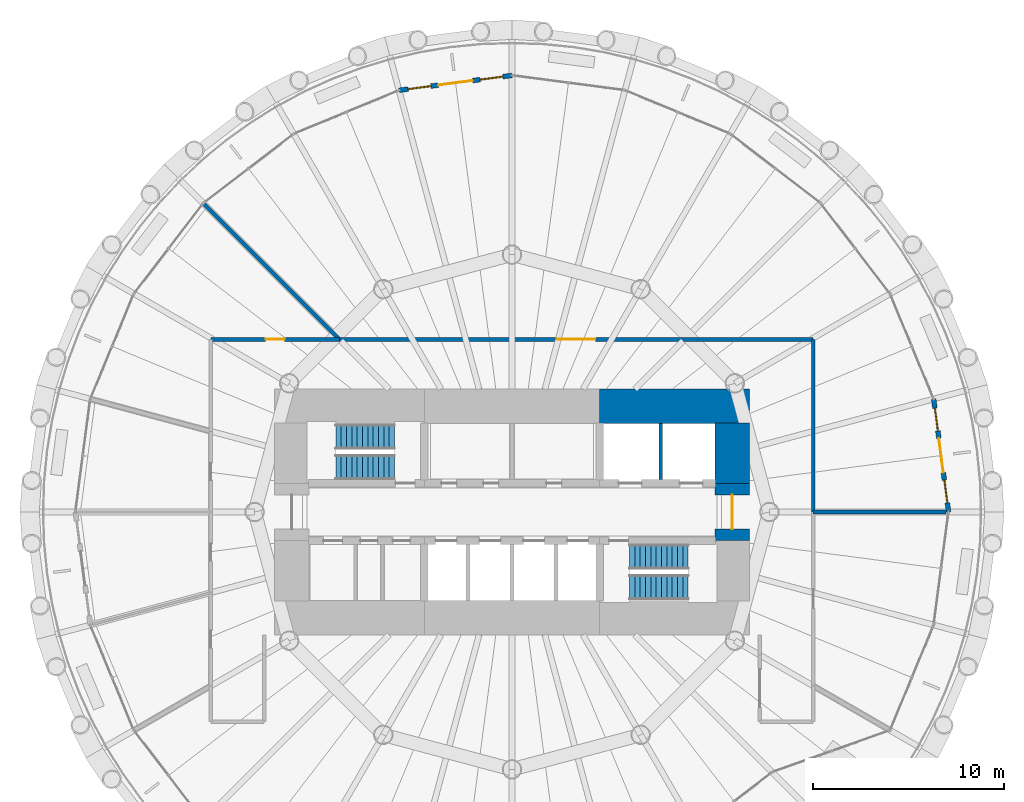
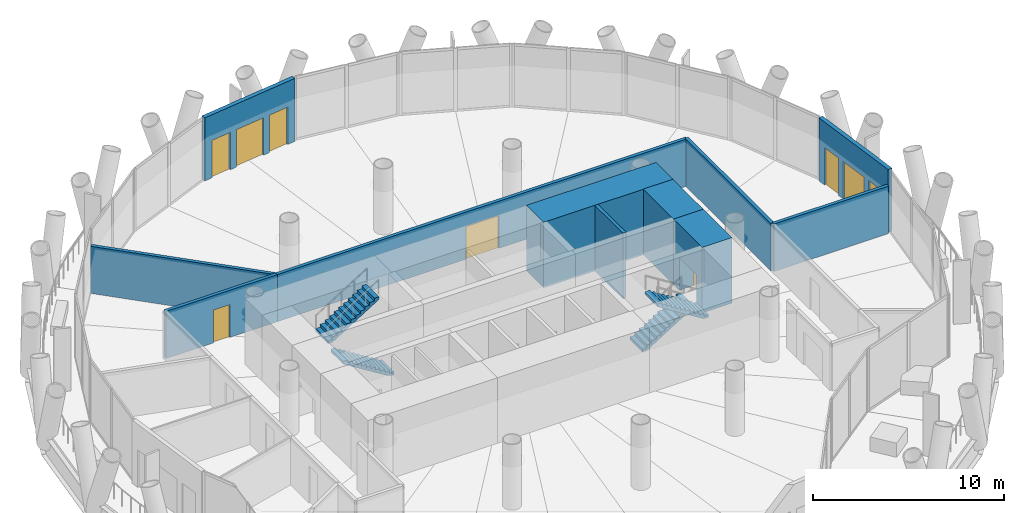
# One storey, part 11 of 15: 11 walls, 5 doors, 4 stair flights, 4 windows, 9 openings, 2 elements without a shape of their own.
"""IFC4 building model written with IfcOpenShell, lengths in metres."""

from ifc_helpers import new_model, si_unit, direction, frame, frame_2d, origin, place, context, subcontext, project, spatial, polyline, rectangle, outline, extrude, material, layer, layer_set, type_object, element, fill, aggregate, save


model = new_model("IFC4")

# Units and contexts
model_context = context("Model", 3, precision=1e-05, world=origin(), true_north=direction((0.0, 1.0)))
body_context = subcontext(model_context, "Body", "Model", "MODEL_VIEW")
ifc_project = project(units=[si_unit("LENGTHUNIT", "METRE"), si_unit("AREAUNIT", "SQUARE_METRE"), si_unit("VOLUMEUNIT", "CUBIC_METRE"), si_unit("PLANEANGLEUNIT", "RADIAN"), si_unit("MASSUNIT", "GRAM", prefix="KILO")], contexts=[model_context])

# Site, building, storey
site_placement = place(None, origin())
site = spatial("IfcSite", under=ifc_project, at=site_placement, CompositionType="ELEMENT")
building_placement = place(site_placement, origin())
building = spatial("IfcBuilding", under=site, at=building_placement, Name="Qaws Media Tower", CompositionType="ELEMENT")
storey_placement = place(building_placement, frame((0.0, 0.0, 110.0)))
storey = spatial("IfcBuildingStorey", under=building, at=storey_placement, Name="L24", CompositionType="ELEMENT", Elevation=110.0)

# Wall, openings, door, windows
ifc_material_1 = material(Name="Precast concrete, exposed finish", Category="concrete")
ifc_layer_1 = layer(ifc_material_1, 0.25)
ifc_layer_set_1 = layer_set([ifc_layer_1], Name="Balcony door wall 250")
wall_type_1 = type_object("IfcWallType", Name="Balcony door wall 250", PredefinedType="SOLIDWALL", material=ifc_layer_set_1)
wall_1_placement = place(storey_placement, frame((82.89990234375, 50.0, 0.0), z_axis=(0.0, 0.0, 1.0), x_axis=(-0.130521066589, 0.991445536162, 0.0)))
wall_1 = element("IfcWall", 1, at=wall_1_placement, inside=storey, type_object=wall_type_1, Name="W173 EW1 balcony door wall L24-01", PredefinedType="SOLIDWALL", context=body_context, shape_type="SweptSolid", body=[
    extrude(rectangle(XDim=5.97802734375, YDim=0.25, at=frame_2d((2.989013671875, 0.0))), origin(), (0.0, 0.0, 1.0), 4.0400390625),
])
opening_1_placement = place(wall_1_placement, frame((2.089111328125, 0.0, 0.0)))
opening_1 = element("IfcOpeningElement", 2, at=opening_1_placement, cuts=wall_1, Name="Opening D7", PredefinedType="OPENING", context=body_context, shape_type="SweptSolid", body=[
    extrude(rectangle(XDim=1.800048828125, YDim=2.39990234375, at=frame_2d((0.89990234375, 1.199951171875))), frame((0.0, 0.135009765625, 0.0), z_axis=(0.0, -1.0, 0.0), x_axis=(1.0, 0.0, 0.0)), (0.0, 0.0, 1.0), 0.27001953125),
])
opening_2_placement = place(wall_1_placement, frame((0.489013671875, 0.0, 0.0)))
opening_2 = element("IfcOpeningElement", 3, at=opening_2_placement, cuts=wall_1, Name="Opening W1", PredefinedType="OPENING", context=body_context, shape_type="SweptSolid", body=[
    extrude(rectangle(XDim=1.199951171875, YDim=2.39990234375, at=frame_2d((0.60009765625, 1.199951171875))), frame((0.0, 0.135009765625, 0.0), z_axis=(0.0, -1.0, 0.0), x_axis=(1.0, 0.0, 0.0)), (0.0, 0.0, 1.0), 0.27001953125),
])
opening_3_placement = place(wall_1_placement, frame((4.2890625, 0.0, 0.0)))
opening_3 = element("IfcOpeningElement", 4, at=opening_3_placement, cuts=wall_1, Name="Opening W1", PredefinedType="OPENING", context=body_context, shape_type="SweptSolid", body=[
    extrude(rectangle(XDim=1.199951171875, YDim=2.39990234375, at=frame_2d((0.60009765625, 1.199951171875))), frame((0.0, 0.135009765625, 0.0), z_axis=(0.0, -1.0, 0.0), x_axis=(1.0, 0.0, 0.0)), (0.0, 0.0, 1.0), 0.27001953125),
])
ifc_material_2 = material(Name="Aluminium and clear glass", Category="aluminium")
door_type_1 = type_object("IfcDoorType", Name="Balcony door pair 1800", OperationType="DOUBLE_DOOR_SLIDING", PredefinedType="DOOR", material=ifc_material_2)
door_1_placement = place(opening_1_placement, origin())
door_1 = element("IfcDoor", 5, at=door_1_placement, inside=storey, type_object=door_type_1, Name="D7 balcony door L24-01 in wall W173", OperationType="DOUBLE_DOOR_SLIDING", OverallHeight=2.39990234375, OverallWidth=1.800048828125, PredefinedType="DOOR", context=body_context, shape_type="SweptSolid", body=[
    extrude(rectangle(XDim=1.800048828125, YDim=2.39990234375, at=frame_2d((0.89990234375, 1.199951171875))), frame((0.0, 0.02490234375, 0.0), z_axis=(0.0, -1.0, 0.0), x_axis=(1.0, 0.0, 0.0)), (0.0, 0.0, 1.0), 0.050048828125),
])
fill(opening_1, door_1)
ifc_material_3 = material(Name="Aluminium and clear glass", Category="aluminium")
window_type = type_object("IfcWindowType", Name="Balcony side window 1200", PartitioningType="SINGLE_PANEL", PredefinedType="WINDOW", material=ifc_material_3)
window_1_placement = place(opening_2_placement, origin())
window_1 = element("IfcWindow", 6, at=window_1_placement, inside=storey, type_object=window_type, Name="W1 balcony side light L24-01L", OverallHeight=2.39990234375, OverallWidth=1.199951171875, PartitioningType="SINGLE_PANEL", PredefinedType="WINDOW", context=body_context, shape_type="SweptSolid", body=[
    extrude(rectangle(XDim=1.199951171875, YDim=2.39990234375, at=frame_2d((0.60009765625, 1.199951171875))), frame((0.0, 0.030029296875, 0.0), z_axis=(0.0, -1.0, 0.0), x_axis=(1.0, 0.0, 0.0)), (0.0, 0.0, 1.0), 0.06005859375),
])
fill(opening_2, window_1)
window_2_placement = place(opening_3_placement, origin())
window_2 = element("IfcWindow", 7, at=window_2_placement, inside=storey, type_object=window_type, Name="W1 balcony side light L24-01R", OverallHeight=2.39990234375, OverallWidth=1.199951171875, PartitioningType="SINGLE_PANEL", PredefinedType="WINDOW", context=body_context, shape_type="SweptSolid", body=[
    extrude(rectangle(XDim=1.199951171875, YDim=2.39990234375, at=frame_2d((0.60009765625, 1.199951171875))), frame((0.0, 0.030029296875, 0.0), z_axis=(0.0, -1.0, 0.0), x_axis=(1.0, 0.0, 0.0)), (0.0, 0.0, 1.0), 0.06005859375),
])
fill(opening_3, window_2)

wall_2_placement = place(storey_placement, frame((60.0, 72.89990234375, 0.0), z_axis=(0.0, 0.0, 1.0), x_axis=(-0.991445536162, -0.130521066589, 0.0)))
wall_2 = element("IfcWall", 8, at=wall_2_placement, inside=storey, type_object=wall_type_1, Name="W172 EW1 balcony door wall L24-07", PredefinedType="SOLIDWALL", context=body_context, shape_type="SweptSolid", body=[
    extrude(rectangle(XDim=5.97802734375, YDim=0.25, at=frame_2d((2.989013671875, 0.0))), origin(), (0.0, 0.0, 1.0), 4.0400390625),
])
opening_4_placement = place(wall_2_placement, frame((2.089111328125, 0.0, 0.0)))
opening_4 = element("IfcOpeningElement", 9, at=opening_4_placement, cuts=wall_2, Name="Opening D7", PredefinedType="OPENING", context=body_context, shape_type="SweptSolid", body=[
    extrude(rectangle(XDim=1.800048828125, YDim=2.39990234375, at=frame_2d((0.89990234375, 1.199951171875))), frame((0.0, 0.135009765625, 0.0), z_axis=(0.0, -1.0, 0.0), x_axis=(1.0, 0.0, 0.0)), (0.0, 0.0, 1.0), 0.27001953125),
])
opening_5_placement = place(wall_2_placement, frame((0.489013671875, 0.0, 0.0)))
opening_5 = element("IfcOpeningElement", 10, at=opening_5_placement, cuts=wall_2, Name="Opening W1", PredefinedType="OPENING", context=body_context, shape_type="SweptSolid", body=[
    extrude(rectangle(XDim=1.199951171875, YDim=2.39990234375, at=frame_2d((0.60009765625, 1.199951171875))), frame((0.0, 0.135009765625, 0.0), z_axis=(0.0, -1.0, 0.0), x_axis=(1.0, 0.0, 0.0)), (0.0, 0.0, 1.0), 0.27001953125),
])
opening_6_placement = place(wall_2_placement, frame((4.2890625, 0.0, 0.0)))
opening_6 = element("IfcOpeningElement", 11, at=opening_6_placement, cuts=wall_2, Name="Opening W1", PredefinedType="OPENING", context=body_context, shape_type="SweptSolid", body=[
    extrude(rectangle(XDim=1.199951171875, YDim=2.39990234375, at=frame_2d((0.60009765625, 1.199951171875))), frame((0.0, 0.135009765625, 0.0), z_axis=(0.0, -1.0, 0.0), x_axis=(1.0, 0.0, 0.0)), (0.0, 0.0, 1.0), 0.27001953125),
])
door_2_placement = place(opening_4_placement, origin())
door_2 = element("IfcDoor", 12, at=door_2_placement, inside=storey, type_object=door_type_1, Name="D7 balcony door L24-07 in wall W172", OperationType="DOUBLE_DOOR_SLIDING", OverallHeight=2.39990234375, OverallWidth=1.800048828125, PredefinedType="DOOR", context=body_context, shape_type="SweptSolid", body=[
    extrude(rectangle(XDim=1.800048828125, YDim=2.39990234375, at=frame_2d((0.89990234375, 1.199951171875))), frame((0.0, 0.02490234375, 0.0), z_axis=(0.0, -1.0, 0.0), x_axis=(1.0, 0.0, 0.0)), (0.0, 0.0, 1.0), 0.050048828125),
])
fill(opening_4, door_2)
window_3_placement = place(opening_5_placement, origin())
window_3 = element("IfcWindow", 13, at=window_3_placement, inside=storey, type_object=window_type, Name="W1 balcony side light L24-07L", OverallHeight=2.39990234375, OverallWidth=1.199951171875, PartitioningType="SINGLE_PANEL", PredefinedType="WINDOW", context=body_context, shape_type="SweptSolid", body=[
    extrude(rectangle(XDim=1.199951171875, YDim=2.39990234375, at=frame_2d((0.60009765625, 1.199951171875))), frame((0.0, 0.030029296875, 0.0), z_axis=(0.0, -1.0, 0.0), x_axis=(1.0, 0.0, 0.0)), (0.0, 0.0, 1.0), 0.06005859375),
])
fill(opening_5, window_3)
window_4_placement = place(opening_6_placement, origin())
window_4 = element("IfcWindow", 14, at=window_4_placement, inside=storey, type_object=window_type, Name="W1 balcony side light L24-07R", OverallHeight=2.39990234375, OverallWidth=1.199951171875, PartitioningType="SINGLE_PANEL", PredefinedType="WINDOW", context=body_context, shape_type="SweptSolid", body=[
    extrude(rectangle(XDim=1.199951171875, YDim=2.39990234375, at=frame_2d((0.60009765625, 1.199951171875))), frame((0.0, 0.030029296875, 0.0), z_axis=(0.0, -1.0, 0.0), x_axis=(1.0, 0.0, 0.0)), (0.0, 0.0, 1.0), 0.06005859375),
])
fill(opening_6, window_4)

# Wall
ifc_material_4 = material(Name="Concrete C60/75", Category="concrete")
ifc_layer_2 = layer(ifc_material_4, 1.800048828125)
ifc_layer_set_2 = layer_set([ifc_layer_2], Name="Core wall 1800")
wall_type_2 = type_object("IfcWallType", Name="Core wall 1800", PredefinedType="SHEAR", material=ifc_layer_set_2)
wall_3_placement = place(storey_placement, frame((64.60009765625, 55.550048828125, 0.0), z_axis=(0.0, 0.0, 1.0), x_axis=(1.0, 0.0, 0.0)))
element("IfcWall", 15, at=wall_3_placement, inside=storey, type_object=wall_type_2, Name="W423 SW11 core wall NE L24", PredefinedType="SHEAR", context=body_context, shape_type="SweptSolid", body=[
    extrude(rectangle(XDim=7.849853515625, YDim=1.800048828125, at=frame_2d((3.9248046875, 0.0))), origin(), (0.0, 0.0, 1.0), 4.199951171875),
])

# Wall, opening, door
wall_4_placement = place(storey_placement, frame((71.550048828125, 48.5, 0.0), z_axis=(0.0, 0.0, 1.0), x_axis=(0.0, 1.0, 0.0)))
wall_4 = element("IfcWall", 16, at=wall_4_placement, inside=storey, type_object=wall_type_2, Name="W427 SW11 core wall E L24", PredefinedType="SHEAR", context=body_context, shape_type="SweptSolid", body=[
    extrude(rectangle(XDim=3.0, YDim=1.800048828125, at=frame_2d((1.5, 0.0))), origin(), (0.0, 0.0, 1.0), 4.199951171875),
])
opening_7_placement = place(wall_4_placement, frame((0.60009765625, 0.0, 0.0)))
opening_7 = element("IfcOpeningElement", 17, at=opening_7_placement, cuts=wall_4, Name="Opening D2", PredefinedType="OPENING", context=body_context, shape_type="SweptSolid", body=[
    extrude(rectangle(XDim=1.800048828125, YDim=2.10009765625, at=frame_2d((0.89990234375, 1.050048828125))), frame((0.0, 0.909912109375, 0.0), z_axis=(0.0, -1.0, 0.0), x_axis=(1.0, 0.0, 0.0)), (0.0, 0.0, 1.0), 1.820068359375),
])
ifc_material_5 = material(Name="Steel and glass, fire rated", Category="steel")
door_type_2 = type_object("IfcDoorType", Name="Lobby door pair 1800 FD60", OperationType="DOUBLE_DOOR_DOUBLE_SWING", PredefinedType="DOOR", material=ifc_material_5)
door_3_placement = place(opening_7_placement, origin())
door_3 = element("IfcDoor", 18, at=door_3_placement, inside=storey, type_object=door_type_2, Name="D2 core lobby door E L24 in wall W427", OperationType="DOUBLE_DOOR_DOUBLE_SWING", OverallHeight=2.10009765625, OverallWidth=1.800048828125, PredefinedType="DOOR", context=body_context, shape_type="SweptSolid", body=[
    extrude(rectangle(XDim=1.800048828125, YDim=2.10009765625, at=frame_2d((0.89990234375, 1.050048828125))), frame((0.0, 0.02490234375, 0.0), z_axis=(0.0, -1.0, 0.0), x_axis=(1.0, 0.0, 0.0)), (0.0, 0.0, 1.0), 0.050048828125),
])
fill(opening_7, door_3)

# Wall
wall_5_placement = place(storey_placement, frame((71.550048828125, 51.5, 0.0), z_axis=(0.0, 0.0, 1.0), x_axis=(0.0, 1.0, 0.0)))
element("IfcWall", 19, at=wall_5_placement, inside=storey, type_object=wall_type_2, Name="W425 SW11 core wall EN L24", PredefinedType="SHEAR", context=body_context, shape_type="SweptSolid", body=[
    extrude(rectangle(XDim=3.169921875, YDim=1.800048828125, at=frame_2d((1.5849609375, 0.0))), origin(), (0.0, 0.0, 1.0), 4.199951171875),
])

# Wall, opening, door
ifc_material_6 = material(Name="Gypsum board on galvanised metal studs, acoustic double stud, deflection head", Category="gypsum")
ifc_layer_3 = layer(ifc_material_6, 0.199951171875)
ifc_layer_set_3 = layer_set([ifc_layer_3], Name="Room partition 200")
wall_type_3 = type_object("IfcWallType", Name="Room partition 200", PredefinedType="PARTITIONING", material=ifc_layer_set_3)
wall_6_placement = place(storey_placement, frame((44.199951171875, 59.050048828125, 0.0), z_axis=(0.0, 0.0, 1.0), x_axis=(1.0, 0.0, 0.0)))
wall_6 = element("IfcWall", 20, at=wall_6_placement, inside=storey, type_object=wall_type_3, Name="W1220 IW3 partition L24", PredefinedType="PARTITIONING", context=body_context, shape_type="SweptSolid", body=[
    extrude(rectangle(XDim=6.75, YDim=0.199951171875, at=frame_2d((3.375, 0.0))), origin(), (0.0, 0.0, 1.0), 3.02001953125),
])
opening_8_placement = place(wall_6_placement, frame((2.875, 0.0, 0.0)))
opening_8 = element("IfcOpeningElement", 21, at=opening_8_placement, cuts=wall_6, Name="Opening D5", PredefinedType="OPENING", context=body_context, shape_type="SweptSolid", body=[
    extrude(rectangle(XDim=1.0, YDim=2.10009765625, at=frame_2d((0.5, 1.050048828125))), frame((0.0, 0.10986328125, 0.0), z_axis=(0.0, -1.0, 0.0), x_axis=(1.0, 0.0, 0.0)), (0.0, 0.0, 1.0), 0.219970703125),
])
ifc_material_7 = material(Name="Timber veneered, acoustic seal", Category="wood")
door_type_3 = type_object("IfcDoorType", Name="Room door 1000", OperationType="SINGLE_SWING_LEFT", PredefinedType="DOOR", material=ifc_material_7)
door_4_placement = place(opening_8_placement, origin())
door_4 = element("IfcDoor", 22, at=door_4_placement, inside=storey, type_object=door_type_3, Name="D5 Client meeting room door L24 in wall W1220", OperationType="SINGLE_SWING_LEFT", OverallHeight=2.10009765625, OverallWidth=1.0, PredefinedType="DOOR", context=body_context, shape_type="SweptSolid", body=[
    extrude(rectangle(XDim=1.0, YDim=2.10009765625, at=frame_2d((0.5, 1.050048828125))), frame((0.0, 0.02490234375, 0.0), z_axis=(0.0, -1.0, 0.0), x_axis=(1.0, 0.0, 0.0)), (0.0, 0.0, 1.0), 0.050048828125),
])
fill(opening_8, door_4)

wall_7_placement = place(storey_placement, frame((50.949951171875, 59.050048828125, 0.0), z_axis=(0.0, 0.0, 1.0), x_axis=(1.0, 0.0, 0.0)))
wall_7 = element("IfcWall", 23, at=wall_7_placement, inside=storey, type_object=wall_type_3, Name="W1226 IW3 partition L24", PredefinedType="PARTITIONING", context=body_context, shape_type="SweptSolid", body=[
    extrude(rectangle(XDim=24.85009765625, YDim=0.199951171875, at=frame_2d((12.425048828125, 0.0))), origin(), (0.0, 0.0, 1.0), 3.02001953125),
])
opening_9_placement = place(wall_7_placement, frame((11.425048828125, 0.0, 0.0)))
opening_9 = element("IfcOpeningElement", 24, at=opening_9_placement, cuts=wall_7, Name="Opening D6", PredefinedType="OPENING", context=body_context, shape_type="SweptSolid", body=[
    extrude(rectangle(XDim=2.0, YDim=2.10009765625, at=frame_2d((1.0, 1.050048828125))), frame((0.0, 0.10986328125, 0.0), z_axis=(0.0, -1.0, 0.0), x_axis=(1.0, 0.0, 0.0)), (0.0, 0.0, 1.0), 0.219970703125),
])
ifc_material_8 = material(Name="Steel, acoustic, fire rated", Category="steel")
door_type_4 = type_object("IfcDoorType", Name="Room door pair 2000", OperationType="DOUBLE_DOOR_DOUBLE_SWING", PredefinedType="DOOR", material=ifc_material_8)
door_5_placement = place(opening_9_placement, origin())
door_5 = element("IfcDoor", 25, at=door_5_placement, inside=storey, type_object=door_type_4, Name="D6 Sales office door L24 in wall W1226", OperationType="DOUBLE_DOOR_DOUBLE_SWING", OverallHeight=2.10009765625, OverallWidth=2.0, PredefinedType="DOOR", context=body_context, shape_type="SweptSolid", body=[
    extrude(rectangle(XDim=2.0, YDim=2.10009765625, at=frame_2d((1.0, 1.050048828125))), frame((0.0, 0.02490234375, 0.0), z_axis=(0.0, -1.0, 0.0), x_axis=(1.0, 0.0, 0.0)), (0.0, 0.0, 1.0), 0.050048828125),
])
fill(opening_9, door_5)

# Walls
wall_8_placement = place(storey_placement, frame((75.800048828125, 59.050048828125, 0.0), z_axis=(0.0, 0.0, 1.0), x_axis=(0.0, -1.0, 0.0)))
element("IfcWall", 26, at=wall_8_placement, inside=storey, type_object=wall_type_3, Name="W1235 IW3 partition L24", PredefinedType="PARTITIONING", context=body_context, shape_type="SweptSolid", body=[
    extrude(rectangle(XDim=9.050048828125, YDim=0.199951171875, at=frame_2d((4.52490234375, 0.0))), origin(), (0.0, 0.0, 1.0), 3.0400390625),
])
wall_9_placement = place(storey_placement, frame((75.800048828125, 50.0, 0.0), z_axis=(0.0, 0.0, 1.0), x_axis=(1.0, 0.0, 0.0)))
element("IfcWall", 27, at=wall_9_placement, inside=storey, type_object=wall_type_3, Name="W1234 IW3 partition L24", PredefinedType="PARTITIONING", context=body_context, shape_type="SweptSolid", body=[
    extrude(rectangle(XDim=6.9599609375, YDim=0.199951171875, at=frame_2d((3.47998046875, 0.0))), origin(), (0.0, 0.0, 1.0), 3.0400390625),
])
wall_10_placement = place(storey_placement, frame((50.948974609375, 59.051025390625, 0.0), z_axis=(0.0, 0.0, 1.0), x_axis=(-0.707106781187, 0.707106781187, 0.0)))
element("IfcWall", 28, at=wall_10_placement, inside=storey, type_object=wall_type_3, Name="W1225 IW3 partition L24", PredefinedType="PARTITIONING", context=body_context, shape_type="SweptSolid", body=[
    extrude(rectangle(XDim=10.06005859375, YDim=0.199951171875, at=frame_2d((5.030029296875, 0.0))), origin(), (0.0, 0.0, 1.0), 3.02001953125),
])
ifc_material_9 = material(Name="Fire-rated gypsum board shaft wall on galvanised metal studs, deflection head", Category="gypsum")
ifc_layer_4 = layer(ifc_material_9, 0.199951171875)
ifc_layer_set_4 = layer_set([ifc_layer_4], Name="Shaft wall 200")
wall_type_4 = type_object("IfcWallType", Name="Shaft wall 200", PredefinedType="PARTITIONING", material=ifc_layer_set_4)
wall_11_placement = place(storey_placement, frame((67.800048828125, 51.699951171875, 0.0), z_axis=(0.0, 0.0, 1.0), x_axis=(0.0, 1.0, 0.0)))
element("IfcWall", 29, at=wall_11_placement, inside=storey, type_object=wall_type_4, Name="W1863 IW1 shaft wall FL L24", PredefinedType="PARTITIONING", context=body_context, shape_type="SweptSolid", body=[
    extrude(rectangle(XDim=2.949951171875, YDim=0.199951171875, at=frame_2d((1.47509765625, 0.0))), origin(), (0.0, 0.0, 1.0), 4.199951171875),
])

# Stair, stair flights
ifc_material_10 = material(Name="Concrete C40/50", Category="concrete")
stair_type = type_object("IfcStairType", Name="Exit stair", PredefinedType="HALF_TURN_STAIR", material=ifc_material_10)
stair_1_placement = place(storey_placement, origin())
stair_1 = element("IfcStair", 30, at=stair_1_placement, inside=storey, type_object=stair_type, Name="S1 exit stair L24", PredefinedType="HALF_TURN_STAIR")
ifc_material_11 = material(Name="Concrete C40/50", Category="concrete")
stair_flight_type = type_object("IfcStairFlightType", Name="Stair flight 1310", PredefinedType="STRAIGHT", material=ifc_material_11)
stair_flight_1_placement = place(storey_placement, frame((53.840087890625, 52.35498046875, 0.0), z_axis=(0.0, 0.0, 1.0), x_axis=(-1.0, 0.0, 0.0)))
stair_flight_1 = element("IfcStairFlight", 31, at=stair_flight_1_placement, type_object=stair_flight_type, Name="S1 flight 1", NumberOfRisers=12, NumberOfTreads=11, PredefinedType="STRAIGHT", RiserHeight=0.175, TreadLength=0.28, context=body_context, shape_type="SweptSolid", body=[
    extrude(outline(polyline([(0.0, 0.0), (0.0, 0.175048828125), (0.280029296875, 0.175048828125), (0.280029296875, 0.35009765625), (0.56005859375, 0.35009765625), (0.56005859375, 0.52490234375), (0.840087890625, 0.52490234375), (0.840087890625, 0.699951171875), (1.1201171875, 0.699951171875), (1.1201171875, 0.875), (1.39990234375, 0.875), (1.39990234375, 1.050048828125), (1.679931640625, 1.050048828125), (1.679931640625, 1.22509765625), (1.9599609375, 1.22509765625), (1.9599609375, 1.39990234375), (2.239990234375, 1.39990234375), (2.239990234375, 1.574951171875), (2.52001953125, 1.574951171875), (2.52001953125, 1.75), (2.800048828125, 1.75), (2.800048828125, 1.925048828125), (3.080078125, 1.925048828125), (3.080078125, 2.10009765625), (3.080078125, 1.748291015625), (0.28271484375, 0.0), (0.0, 0.0)])), frame((0.0, 0.655029296875, 0.0), z_axis=(0.0, -1.0, 0.0), x_axis=(1.0, 0.0, 0.0)), (0.0, 0.0, 1.0), 1.31005859375),
])
stair_flight_2_placement = place(storey_placement, frame((50.760009765625, 53.945068359375, 2.10009765625), z_axis=(0.0, 0.0, 1.0), x_axis=(1.0, 0.0, 0.0)))
stair_flight_2 = element("IfcStairFlight", 32, at=stair_flight_2_placement, type_object=stair_flight_type, Name="S1 flight 2", NumberOfRisers=12, NumberOfTreads=11, PredefinedType="STRAIGHT", RiserHeight=0.175, TreadLength=0.28, context=body_context, shape_type="SweptSolid", body=[
    extrude(outline(polyline([(0.0, 0.0), (0.0, 0.175048828125), (0.280029296875, 0.175048828125), (0.280029296875, 0.35009765625), (0.56005859375, 0.35009765625), (0.56005859375, 0.52490234375), (0.840087890625, 0.52490234375), (0.840087890625, 0.699951171875), (1.1201171875, 0.699951171875), (1.1201171875, 0.875), (1.39990234375, 0.875), (1.39990234375, 1.050048828125), (1.679931640625, 1.050048828125), (1.679931640625, 1.22509765625), (1.9599609375, 1.22509765625), (1.9599609375, 1.39990234375), (2.239990234375, 1.39990234375), (2.239990234375, 1.574951171875), (2.52001953125, 1.574951171875), (2.52001953125, 1.75), (2.800048828125, 1.75), (2.800048828125, 1.925048828125), (3.080078125, 1.925048828125), (3.080078125, 2.10009765625), (3.080078125, 1.748291015625), (0.28271484375, 0.0), (0.0, 0.0)])), frame((0.0, 0.655029296875, 0.0), z_axis=(0.0, -1.0, 0.0), x_axis=(1.0, 0.0, 0.0)), (0.0, 0.0, 1.0), 1.31005859375),
])
aggregate(stair_1, [stair_flight_1, stair_flight_2])

stair_2_placement = place(storey_placement, origin())
stair_2 = element("IfcStair", 33, at=stair_2_placement, inside=storey, type_object=stair_type, Name="S2 exit stair L24", PredefinedType="HALF_TURN_STAIR")
stair_flight_3_placement = place(storey_placement, frame((66.159912109375, 47.64501953125, 0.0), z_axis=(0.0, 0.0, 1.0), x_axis=(1.0, 0.0, 0.0)))
stair_flight_3 = element("IfcStairFlight", 34, at=stair_flight_3_placement, type_object=stair_flight_type, Name="S2 flight 1", NumberOfRisers=12, NumberOfTreads=11, PredefinedType="STRAIGHT", RiserHeight=0.175, TreadLength=0.28, context=body_context, shape_type="SweptSolid", body=[
    extrude(outline(polyline([(0.0, 0.0), (0.0, 0.175048828125), (0.280029296875, 0.175048828125), (0.280029296875, 0.35009765625), (0.56005859375, 0.35009765625), (0.56005859375, 0.52490234375), (0.840087890625, 0.52490234375), (0.840087890625, 0.699951171875), (1.1201171875, 0.699951171875), (1.1201171875, 0.875), (1.39990234375, 0.875), (1.39990234375, 1.050048828125), (1.679931640625, 1.050048828125), (1.679931640625, 1.22509765625), (1.9599609375, 1.22509765625), (1.9599609375, 1.39990234375), (2.239990234375, 1.39990234375), (2.239990234375, 1.574951171875), (2.52001953125, 1.574951171875), (2.52001953125, 1.75), (2.800048828125, 1.75), (2.800048828125, 1.925048828125), (3.080078125, 1.925048828125), (3.080078125, 2.10009765625), (3.080078125, 1.748291015625), (0.28271484375, 0.0), (0.0, 0.0)])), frame((0.0, 0.655029296875, 0.0), z_axis=(0.0, -1.0, 0.0), x_axis=(1.0, 0.0, 0.0)), (0.0, 0.0, 1.0), 1.31005859375),
])
stair_flight_4_placement = place(storey_placement, frame((69.239990234375, 46.054931640625, 2.10009765625), z_axis=(0.0, 0.0, 1.0), x_axis=(-1.0, 0.0, 0.0)))
stair_flight_4 = element("IfcStairFlight", 35, at=stair_flight_4_placement, type_object=stair_flight_type, Name="S2 flight 2", NumberOfRisers=12, NumberOfTreads=11, PredefinedType="STRAIGHT", RiserHeight=0.175, TreadLength=0.28, context=body_context, shape_type="SweptSolid", body=[
    extrude(outline(polyline([(0.0, 0.0), (0.0, 0.175048828125), (0.280029296875, 0.175048828125), (0.280029296875, 0.35009765625), (0.56005859375, 0.35009765625), (0.56005859375, 0.52490234375), (0.840087890625, 0.52490234375), (0.840087890625, 0.699951171875), (1.1201171875, 0.699951171875), (1.1201171875, 0.875), (1.39990234375, 0.875), (1.39990234375, 1.050048828125), (1.679931640625, 1.050048828125), (1.679931640625, 1.22509765625), (1.9599609375, 1.22509765625), (1.9599609375, 1.39990234375), (2.239990234375, 1.39990234375), (2.239990234375, 1.574951171875), (2.52001953125, 1.574951171875), (2.52001953125, 1.75), (2.800048828125, 1.75), (2.800048828125, 1.925048828125), (3.080078125, 1.925048828125), (3.080078125, 2.10009765625), (3.080078125, 1.748291015625), (0.28271484375, 0.0), (0.0, 0.0)])), frame((0.0, 0.655029296875, 0.0), z_axis=(0.0, -1.0, 0.0), x_axis=(1.0, 0.0, 0.0)), (0.0, 0.0, 1.0), 1.31005859375),
])
aggregate(stair_2, [stair_flight_3, stair_flight_4])

save(model, "model.ifc")
